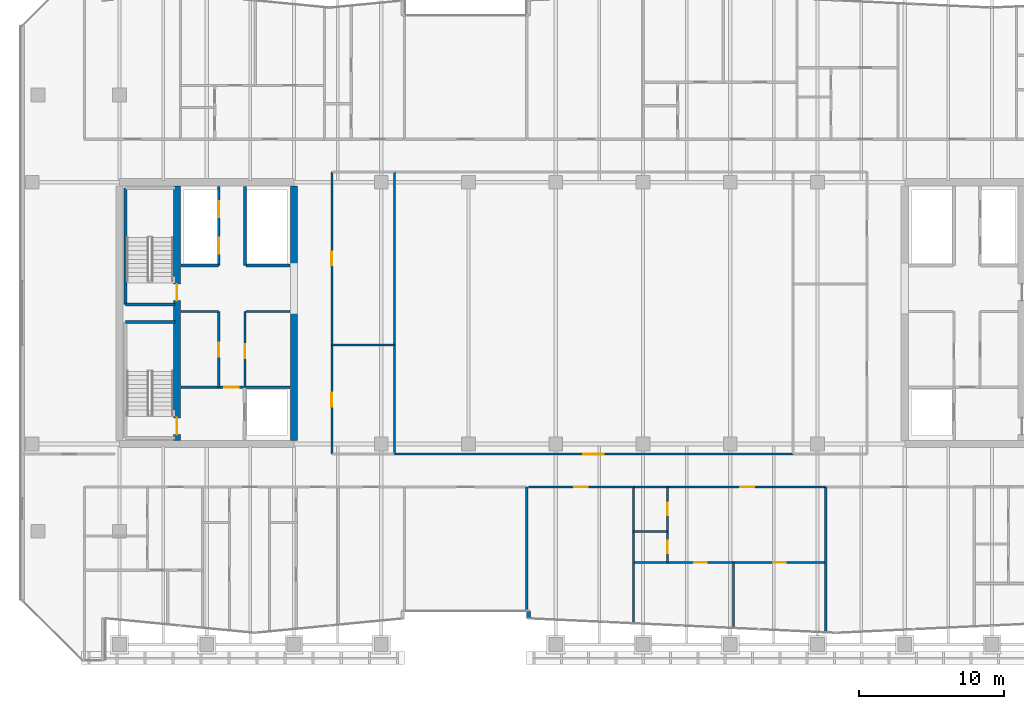
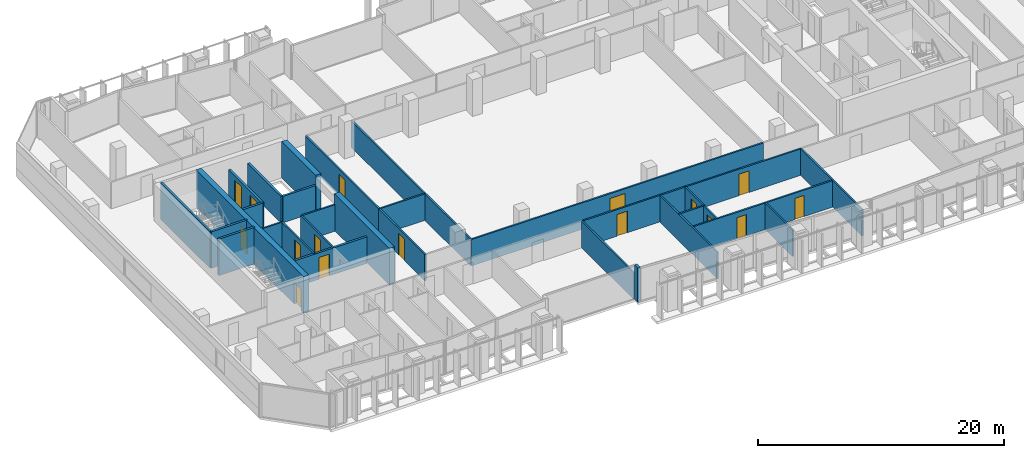
# One storey, part 28 of 39: 30 walls, 16 doors, 16 openings.
"""IFC4 building model written with IfcOpenShell, lengths in metres."""

from ifc_helpers import new_model, si_unit, direction, frame, frame_2d, origin, place, context, subcontext, project, spatial, rectangle, extrude, material, layer, layer_set, type_object, element, fill, save


model = new_model("IFC4")

# Units and contexts
model_context = context("Model", 3, precision=1e-05, world=origin(), true_north=direction((0.0, 1.0)))
body_context = subcontext(model_context, "Body", "Model", "MODEL_VIEW")
ifc_project = project(units=[si_unit("LENGTHUNIT", "METRE"), si_unit("AREAUNIT", "SQUARE_METRE"), si_unit("VOLUMEUNIT", "CUBIC_METRE"), si_unit("PLANEANGLEUNIT", "RADIAN"), si_unit("MASSUNIT", "GRAM", prefix="KILO")], contexts=[model_context])

# Site, building, storey
site_placement = place(None, origin())
site = spatial("IfcSite", under=ifc_project, at=site_placement, CompositionType="ELEMENT")
building_placement = place(site_placement, origin())
building = spatial("IfcBuilding", under=site, at=building_placement, Name="Tanjung Sevakor Pilgrim Tower", CompositionType="ELEMENT")
storey_placement = place(building_placement, frame((0.0, 0.0, 112.199951171875)))
storey = spatial("IfcBuildingStorey", under=building, at=storey_placement, Name="L31", CompositionType="ELEMENT", Elevation=112.199951171875)

# Walls
ifc_material_1 = material(Name="Concrete C60/75", Category="concrete")
ifc_layer_1 = layer(ifc_material_1, 0.5)
ifc_layer_set_1 = layer_set([ifc_layer_1], Name="WALL-CW-500")
wall_type_1 = type_object("IfcWallType", Name="WALL-CW-500", PredefinedType="SHEAR", material=ifc_layer_set_1)
wall_1_placement = place(storey_placement, frame((36.0, 24.85009765625, 0.0), z_axis=(0.0, 0.0, 1.0), x_axis=(0.0, 1.0, 0.0)))
element("IfcWall", 1, at=wall_1_placement, inside=storey, type_object=wall_type_1, Name="L31 W Core Inner Shear Wall South", PredefinedType="SHEAR", context=body_context, shape_type="SweptSolid", body=[
    extrude(rectangle(XDim=8.949951171875, YDim=0.5, at=frame_2d((4.47509765625, 0.0))), origin(), (0.0, 0.0, 1.0), 3.630126953125),
])
wall_2_placement = place(storey_placement, frame((36.0, 36.800048828125, 0.0), z_axis=(0.0, 0.0, 1.0), x_axis=(0.0, 1.0, 0.0)))
element("IfcWall", 2, at=wall_2_placement, inside=storey, type_object=wall_type_1, Name="L31 W Core Inner Shear Wall North", PredefinedType="SHEAR", context=body_context, shape_type="SweptSolid", body=[
    extrude(rectangle(XDim=5.550048828125, YDim=0.5, at=frame_2d((2.77490234375, 0.0))), origin(), (0.0, 0.0, 1.0), 3.630126953125),
])

# Wall, openings, doors
wall_3_placement = place(storey_placement, frame((27.949951171875, 24.85009765625, 0.0), z_axis=(0.0, 0.0, 1.0), x_axis=(0.0, 1.0, 0.0)))
wall_3 = element("IfcWall", 3, at=wall_3_placement, inside=storey, type_object=wall_type_1, Name="L31 W Core Stair Spine Wall", PredefinedType="SHEAR", context=body_context, shape_type="SweptSolid", body=[
    extrude(rectangle(XDim=17.5, YDim=0.5, at=frame_2d((8.75, 0.0))), origin(), (0.0, 0.0, 1.0), 3.630126953125),
])
opening_1_placement = place(wall_3_placement, frame((0.39990234375, 0.0, 0.0)))
opening_1 = element("IfcOpeningElement", 4, at=opening_1_placement, cuts=wall_3, Name="Opening ID-ST1", PredefinedType="OPENING", context=body_context, shape_type="SweptSolid", body=[
    extrude(rectangle(XDim=1.14990234375, YDim=2.14990234375, at=frame_2d((0.574951171875, 1.074951171875))), frame((0.0, 0.260009765625, 0.0), z_axis=(0.0, -1.0, 0.0), x_axis=(1.0, 0.0, 0.0)), (0.0, 0.0, 1.0), 0.52001953125),
])
opening_2_placement = place(wall_3_placement, frame((9.60009765625, 0.0, 0.0)))
opening_2 = element("IfcOpeningElement", 5, at=opening_2_placement, cuts=wall_3, Name="Opening ID-ST1", PredefinedType="OPENING", context=body_context, shape_type="SweptSolid", body=[
    extrude(rectangle(XDim=1.14990234375, YDim=2.14990234375, at=frame_2d((0.574951171875, 1.074951171875))), frame((0.0, 0.260009765625, 0.0), z_axis=(0.0, -1.0, 0.0), x_axis=(1.0, 0.0, 0.0)), (0.0, 0.0, 1.0), 0.52001953125),
])
ifc_material_2 = material(Name="Fire-Rated Steel S355J2", Category="steel")
door_type_1 = type_object("IfcDoorType", Name="DT-FIRE-1150", OperationType="NOTDEFINED", PredefinedType="DOOR", material=ifc_material_2)
door_1_placement = place(opening_1_placement, origin())
door_1 = element("IfcDoor", 6, at=door_1_placement, inside=storey, type_object=door_type_1, Name="L31 TS-W1 Stair Fire Door", OperationType="SINGLE_SWING_RIGHT", OverallHeight=2.14990234375, OverallWidth=1.14990234375, PredefinedType="DOOR", context=body_context, shape_type="SweptSolid", body=[
    extrude(rectangle(XDim=1.14990234375, YDim=2.14990234375, at=frame_2d((0.574951171875, 1.074951171875))), frame((0.0, 0.02490234375, 0.0), z_axis=(0.0, -1.0, 0.0), x_axis=(1.0, 0.0, 0.0)), (0.0, 0.0, 1.0), 0.050048828125),
])
fill(opening_1, door_1)
door_2_placement = place(opening_2_placement, origin())
door_2 = element("IfcDoor", 7, at=door_2_placement, inside=storey, type_object=door_type_1, Name="L31 TS-W2 Stair Fire Door", OperationType="SINGLE_SWING_LEFT", OverallHeight=2.14990234375, OverallWidth=1.14990234375, PredefinedType="DOOR", context=body_context, shape_type="SweptSolid", body=[
    extrude(rectangle(XDim=1.14990234375, YDim=2.14990234375, at=frame_2d((0.574951171875, 1.074951171875))), frame((0.0, 0.02490234375, 0.0), z_axis=(0.0, -1.0, 0.0), x_axis=(1.0, 0.0, 0.0)), (0.0, 0.0, 1.0), 0.050048828125),
])
fill(opening_2, door_2)

# Wall
ifc_material_3 = material(Name="Concrete C40/50", Category="concrete")
ifc_layer_2 = layer(ifc_material_3, 0.14990234375)
ifc_layer_set_2 = layer_set([ifc_layer_2], Name="WT-COMP-150")
wall_type_2 = type_object("IfcWallType", Name="WT-COMP-150", PredefinedType="SOLIDWALL", material=ifc_layer_set_2)
wall_4_placement = place(storey_placement, frame((28.219970703125, 33.719970703125, 0.0), z_axis=(0.0, 0.0, 1.0), x_axis=(1.0, 0.0, 0.0)))
element("IfcWall", 8, at=wall_4_placement, inside=storey, type_object=wall_type_2, Name="L31 Partition IW-L31-003", PredefinedType="SOLIDWALL", context=body_context, shape_type="SweptSolid", body=[
    extrude(rectangle(XDim=2.580078125, YDim=0.14990234375, at=frame_2d((1.2900390625, 0.0))), origin(), (0.0, 0.0, 1.0), 2.6298828125),
])

# Wall, opening, door
wall_5_placement = place(storey_placement, frame((30.820068359375, 28.5, 0.0), z_axis=(0.0, 0.0, 1.0), x_axis=(0.0, 1.0, 0.0)))
wall_5 = element("IfcWall", 9, at=wall_5_placement, inside=storey, type_object=wall_type_2, Name="L31 Partition IW-L31-004", PredefinedType="SOLIDWALL", context=body_context, shape_type="SweptSolid", body=[
    extrude(rectangle(XDim=5.219970703125, YDim=0.14990234375, at=frame_2d((2.60986328125, 0.0))), origin(), (0.0, 0.0, 1.0), 2.6298828125),
])
opening_3_placement = place(wall_5_placement, frame((2.10009765625, 0.0, 0.0)))
opening_3 = element("IfcOpeningElement", 10, at=opening_3_placement, cuts=wall_5, Name="Opening ID-FD2", PredefinedType="OPENING", context=body_context, shape_type="SweptSolid", body=[
    extrude(rectangle(XDim=0.949951171875, YDim=2.14990234375, at=frame_2d((0.47509765625, 1.074951171875))), frame((0.0, 0.0849609375, 0.0), z_axis=(0.0, -1.0, 0.0), x_axis=(1.0, 0.0, 0.0)), (0.0, 0.0, 1.0), 0.169921875),
])
ifc_material_4 = material(Name="Fire-Rated Timber", Category="wood")
door_type_2 = type_object("IfcDoorType", Name="DT-FIRE-950", OperationType="NOTDEFINED", PredefinedType="DOOR", material=ifc_material_4)
door_3_placement = place(opening_3_placement, origin())
door_3 = element("IfcDoor", 11, at=door_3_placement, inside=storey, type_object=door_type_2, Name="L31 Housekeeping Pantry Door", OperationType="SINGLE_SWING_RIGHT", OverallHeight=2.14990234375, OverallWidth=0.949951171875, PredefinedType="DOOR", context=body_context, shape_type="SweptSolid", body=[
    extrude(rectangle(XDim=0.949951171875, YDim=2.14990234375, at=frame_2d((0.47509765625, 1.074951171875))), frame((0.0, 0.02490234375, 0.0), z_axis=(0.0, -1.0, 0.0), x_axis=(1.0, 0.0, 0.0)), (0.0, 0.0, 1.0), 0.050048828125),
])
fill(opening_3, door_3)

# Wall
wall_6_placement = place(storey_placement, frame((32.679931640625, 33.719970703125, 0.0), z_axis=(0.0, 0.0, 1.0), x_axis=(1.0, 0.0, 0.0)))
element("IfcWall", 12, at=wall_6_placement, inside=storey, type_object=wall_type_2, Name="L31 Partition IW-L31-005", PredefinedType="SOLIDWALL", context=body_context, shape_type="SweptSolid", body=[
    extrude(rectangle(XDim=3.050048828125, YDim=0.14990234375, at=frame_2d((1.52490234375, 0.0))), origin(), (0.0, 0.0, 1.0), 2.6298828125),
])

# Wall, opening, door
wall_7_placement = place(storey_placement, frame((32.6201171875, 28.5, 0.0), z_axis=(0.0, 0.0, 1.0), x_axis=(0.0, 1.0, 0.0)))
wall_7 = element("IfcWall", 13, at=wall_7_placement, inside=storey, type_object=wall_type_2, Name="L31 Partition IW-L31-006", PredefinedType="SOLIDWALL", context=body_context, shape_type="SweptSolid", body=[
    extrude(rectangle(XDim=5.219970703125, YDim=0.14990234375, at=frame_2d((2.60986328125, 0.0))), origin(), (0.0, 0.0, 1.0), 2.6298828125),
])
opening_4_placement = place(wall_7_placement, frame((2.0, 0.0, 0.0)))
opening_4 = element("IfcOpeningElement", 14, at=opening_4_placement, cuts=wall_7, Name="Opening ID-FD2", PredefinedType="OPENING", context=body_context, shape_type="SweptSolid", body=[
    extrude(rectangle(XDim=0.949951171875, YDim=2.14990234375, at=frame_2d((0.47509765625, 1.074951171875))), frame((0.0, 0.0849609375, 0.0), z_axis=(0.0, -1.0, 0.0), x_axis=(1.0, 0.0, 0.0)), (0.0, 0.0, 1.0), 0.169921875),
])
door_4_placement = place(opening_4_placement, origin())
door_4 = element("IfcDoor", 15, at=door_4_placement, inside=storey, type_object=door_type_2, Name="L31 Accessible WC Door", OperationType="SINGLE_SWING_LEFT", OverallHeight=2.14990234375, OverallWidth=0.949951171875, PredefinedType="DOOR", context=body_context, shape_type="SweptSolid", body=[
    extrude(rectangle(XDim=0.949951171875, YDim=2.14990234375, at=frame_2d((0.47509765625, 1.074951171875))), frame((0.0, 0.02490234375, 0.0), z_axis=(0.0, -1.0, 0.0), x_axis=(1.0, 0.0, 0.0)), (0.0, 0.0, 1.0), 0.050048828125),
])
fill(opening_4, door_4)

# Wall
wall_8_placement = place(storey_placement, frame((38.60009765625, 31.39990234375, 0.0), z_axis=(0.0, 0.0, 1.0), x_axis=(1.0, 0.0, 0.0)))
element("IfcWall", 16, at=wall_8_placement, inside=storey, type_object=wall_type_2, Name="L31 Partition IW-L31-022", PredefinedType="SOLIDWALL", context=body_context, shape_type="SweptSolid", body=[
    extrude(rectangle(XDim=4.2998046875, YDim=0.14990234375, at=frame_2d((2.14990234375, 0.0))), origin(), (0.0, 0.0, 1.0), 2.6298828125),
])

# Wall, opening, door
wall_9_placement = place(storey_placement, frame((38.60009765625, 23.89990234375, 0.0), z_axis=(0.0, 0.0, 1.0), x_axis=(0.0, 1.0, 0.0)))
wall_9 = element("IfcWall", 17, at=wall_9_placement, inside=storey, type_object=wall_type_2, Name="L31 Partition IW-L31-023", PredefinedType="SOLIDWALL", context=body_context, shape_type="SweptSolid", body=[
    extrude(rectangle(XDim=7.5, YDim=0.14990234375, at=frame_2d((3.75, 0.0))), origin(), (0.0, 0.0, 1.0), 2.6298828125),
])
opening_5_placement = place(wall_9_placement, frame((3.27490234375, 0.0, 0.0)))
opening_5 = element("IfcOpeningElement", 18, at=opening_5_placement, cuts=wall_9, Name="Opening ID-RM1", PredefinedType="OPENING", context=body_context, shape_type="SweptSolid", body=[
    extrude(rectangle(XDim=0.949951171875, YDim=2.14990234375, at=frame_2d((0.47509765625, 1.074951171875))), frame((0.0, 0.0849609375, 0.0), z_axis=(0.0, -1.0, 0.0), x_axis=(1.0, 0.0, 0.0)), (0.0, 0.0, 1.0), 0.169921875),
])
ifc_material_5 = material(Name="Hardwood Timber", Category="wood")
door_type_3 = type_object("IfcDoorType", Name="DT-INT-950", OperationType="NOTDEFINED", PredefinedType="DOOR", material=ifc_material_5)
door_5_placement = place(opening_5_placement, origin())
door_5 = element("IfcDoor", 19, at=door_5_placement, inside=storey, type_object=door_type_3, Name="L31 Male Ablution Door", OperationType="SINGLE_SWING_RIGHT", OverallHeight=2.14990234375, OverallWidth=0.949951171875, PredefinedType="DOOR", context=body_context, shape_type="SweptSolid", body=[
    extrude(rectangle(XDim=0.949951171875, YDim=2.14990234375, at=frame_2d((0.47509765625, 1.074951171875))), frame((0.0, 0.02490234375, 0.0), z_axis=(0.0, -1.0, 0.0), x_axis=(1.0, 0.0, 0.0)), (0.0, 0.0, 1.0), 0.050048828125),
])
fill(opening_5, door_5)

wall_10_placement = place(storey_placement, frame((38.60009765625, 31.39990234375, 0.0), z_axis=(0.0, 0.0, 1.0), x_axis=(0.0, 1.0, 0.0)))
wall_10 = element("IfcWall", 20, at=wall_10_placement, inside=storey, type_object=wall_type_2, Name="L31 Partition IW-L31-025", PredefinedType="SOLIDWALL", context=body_context, shape_type="SweptSolid", body=[
    extrude(rectangle(XDim=11.900146484375, YDim=0.14990234375, at=frame_2d((5.9501953125, 0.0))), origin(), (0.0, 0.0, 1.0), 2.6298828125),
])
opening_6_placement = place(wall_10_placement, frame((5.47509765625, 0.0, 0.0)))
opening_6 = element("IfcOpeningElement", 21, at=opening_6_placement, cuts=wall_10, Name="Opening ID-RM1", PredefinedType="OPENING", context=body_context, shape_type="SweptSolid", body=[
    extrude(rectangle(XDim=0.949951171875, YDim=2.14990234375, at=frame_2d((0.47509765625, 1.074951171875))), frame((0.0, 0.0849609375, 0.0), z_axis=(0.0, -1.0, 0.0), x_axis=(1.0, 0.0, 0.0)), (0.0, 0.0, 1.0), 0.169921875),
])
door_6_placement = place(opening_6_placement, origin())
door_6 = element("IfcDoor", 22, at=door_6_placement, inside=storey, type_object=door_type_3, Name="L31 Male Washroom Door", OperationType="SINGLE_SWING_LEFT", OverallHeight=2.14990234375, OverallWidth=0.949951171875, PredefinedType="DOOR", context=body_context, shape_type="SweptSolid", body=[
    extrude(rectangle(XDim=0.949951171875, YDim=2.14990234375, at=frame_2d((0.47509765625, 1.074951171875))), frame((0.0, 0.02490234375, 0.0), z_axis=(0.0, -1.0, 0.0), x_axis=(1.0, 0.0, 0.0)), (0.0, 0.0, 1.0), 0.050048828125),
])
fill(opening_6, door_6)

wall_11_placement = place(storey_placement, frame((42.89990234375, 23.89990234375, 0.0), z_axis=(0.0, 0.0, 1.0), x_axis=(1.0, 0.0, 0.0)))
wall_11 = element("IfcWall", 23, at=wall_11_placement, inside=storey, type_object=wall_type_2, Name="L31 Partition IW-L31-026", PredefinedType="SOLIDWALL", context=body_context, shape_type="SweptSolid", body=[
    extrude(rectangle(XDim=27.400146484375, YDim=0.14990234375, at=frame_2d((13.7001953125, 0.0))), origin(), (0.0, 0.0, 1.0), 2.6298828125),
])
opening_7_placement = place(wall_11_placement, frame((13.0, 0.0, 0.0)))
opening_7 = element("IfcOpeningElement", 24, at=opening_7_placement, cuts=wall_11, Name="Opening ID-HD1", PredefinedType="OPENING", context=body_context, shape_type="SweptSolid", body=[
    extrude(rectangle(XDim=1.39990234375, YDim=2.14990234375, at=frame_2d((0.699951171875, 1.074951171875))), frame((0.0, 0.0849609375, 0.0), z_axis=(0.0, -1.0, 0.0), x_axis=(1.0, 0.0, 0.0)), (0.0, 0.0, 1.0), 0.169921875),
])
ifc_material_6 = material(Name="Hardwood Timber", Category="wood")
door_type_4 = type_object("IfcDoorType", Name="DT-INT-1400", OperationType="DOUBLE_DOOR_SINGLE_SWING", PredefinedType="DOOR", material=ifc_material_6)
door_7_placement = place(opening_7_placement, origin())
door_7 = element("IfcDoor", 25, at=door_7_placement, inside=storey, type_object=door_type_4, Name="L31 Sky-Prayer Sanctuary Door", OperationType="SINGLE_SWING_RIGHT", OverallHeight=2.14990234375, OverallWidth=1.39990234375, PredefinedType="DOOR", context=body_context, shape_type="SweptSolid", body=[
    extrude(rectangle(XDim=1.39990234375, YDim=2.14990234375, at=frame_2d((0.699951171875, 1.074951171875))), frame((0.0, 0.02490234375, 0.0), z_axis=(0.0, -1.0, 0.0), x_axis=(1.0, 0.0, 0.0)), (0.0, 0.0, 1.0), 0.050048828125),
])
fill(opening_7, door_7)

# Walls
wall_12_placement = place(storey_placement, frame((42.89990234375, 23.89990234375, 0.0), z_axis=(0.0, 0.0, 1.0), x_axis=(0.0, 1.0, 0.0)))
element("IfcWall", 26, at=wall_12_placement, inside=storey, type_object=wall_type_2, Name="L31 Partition IW-L31-028", PredefinedType="SOLIDWALL", context=body_context, shape_type="SweptSolid", body=[
    extrude(rectangle(XDim=19.400146484375, YDim=0.14990234375, at=frame_2d((9.7001953125, 0.0))), origin(), (0.0, 0.0, 1.0), 2.6298828125),
])
wall_13_placement = place(storey_placement, frame((52.0, 13.125, 0.0), z_axis=(0.0, 0.0, 1.0), x_axis=(0.0, 1.0, 0.0)))
element("IfcWall", 27, at=wall_13_placement, inside=storey, type_object=wall_type_2, Name="L31 Partition IW-L31-044", PredefinedType="SOLIDWALL", context=body_context, shape_type="SweptSolid", body=[
    extrude(rectangle(XDim=8.52490234375, YDim=0.14990234375, at=frame_2d((4.262451171875, 0.0))), origin(), (0.0, 0.0, 1.0), 2.6298828125),
])
wall_14_placement = place(storey_placement, frame((59.333251953125, 12.260986328125, 0.0), z_axis=(0.0, 0.0, 1.0), x_axis=(0.0, 1.0, 0.0)))
element("IfcWall", 28, at=wall_14_placement, inside=storey, type_object=wall_type_2, Name="L31 Partition IW-L31-065", PredefinedType="SOLIDWALL", context=body_context, shape_type="SweptSolid", body=[
    extrude(rectangle(XDim=9.388916015625, YDim=0.14990234375, at=frame_2d((4.6943359375, 0.0))), origin(), (0.0, 0.0, 1.0), 2.6298828125),
])

# Wall, opening, door
wall_15_placement = place(storey_placement, frame((52.1201171875, 21.64990234375, 0.0), z_axis=(0.0, 0.0, 1.0), x_axis=(1.0, 0.0, 0.0)))
wall_15 = element("IfcWall", 29, at=wall_15_placement, inside=storey, type_object=wall_type_2, Name="L31 Partition IW-L31-066", PredefinedType="SOLIDWALL", context=body_context, shape_type="SweptSolid", body=[
    extrude(rectangle(XDim=7.213134765625, YDim=0.14990234375, at=frame_2d((3.6064453125, 0.0))), origin(), (0.0, 0.0, 1.0), 2.6298828125),
])
opening_8_placement = place(wall_15_placement, frame((3.131591796875, 0.0, 0.0)))
opening_8 = element("IfcOpeningElement", 30, at=opening_8_placement, cuts=wall_15, Name="Opening ID-FD2", PredefinedType="OPENING", context=body_context, shape_type="SweptSolid", body=[
    extrude(rectangle(XDim=0.949951171875, YDim=2.14990234375, at=frame_2d((0.47509765625, 1.074951171875))), frame((0.0, 0.0849609375, 0.0), z_axis=(0.0, -1.0, 0.0), x_axis=(1.0, 0.0, 0.0)), (0.0, 0.0, 1.0), 0.169921875),
])
door_8_placement = place(opening_8_placement, origin())
door_8 = element("IfcDoor", 31, at=door_8_placement, inside=storey, type_object=door_type_2, Name="Housekeeping Pantry Door", OperationType="SINGLE_SWING_RIGHT", OverallHeight=2.14990234375, OverallWidth=0.949951171875, PredefinedType="DOOR", context=body_context, shape_type="SweptSolid", body=[
    extrude(rectangle(XDim=0.949951171875, YDim=2.14990234375, at=frame_2d((0.47509765625, 1.074951171875))), frame((0.0, 0.02490234375, 0.0), z_axis=(0.0, -1.0, 0.0), x_axis=(1.0, 0.0, 0.0)), (0.0, 0.0, 1.0), 0.050048828125),
])
fill(opening_8, door_8)

# Wall
wall_16_placement = place(storey_placement, frame((72.557373046875, 11.639892578125, 0.0), z_axis=(0.0, 0.0, 1.0), x_axis=(0.0, 1.0, 0.0)))
element("IfcWall", 32, at=wall_16_placement, inside=storey, type_object=wall_type_2, Name="L31 Partition IW-L31-067", PredefinedType="SOLIDWALL", context=body_context, shape_type="SweptSolid", body=[
    extrude(rectangle(XDim=10.010009765625, YDim=0.14990234375, at=frame_2d((5.0048828125, 0.0))), origin(), (0.0, 0.0, 1.0), 2.6298828125),
])

# Wall, opening, door
wall_17_placement = place(storey_placement, frame((59.333251953125, 21.64990234375, 0.0), z_axis=(0.0, 0.0, 1.0), x_axis=(1.0, 0.0, 0.0)))
wall_17 = element("IfcWall", 33, at=wall_17_placement, inside=storey, type_object=wall_type_2, Name="L31 Partition IW-L31-072", PredefinedType="SOLIDWALL", context=body_context, shape_type="SweptSolid", body=[
    extrude(rectangle(XDim=13.22412109375, YDim=0.14990234375, at=frame_2d((6.612060546875, 0.0))), origin(), (0.0, 0.0, 1.0), 2.6298828125),
])
opening_9_placement = place(wall_17_placement, frame((7.35205078125, 0.0, 0.0)))
opening_9 = element("IfcOpeningElement", 34, at=opening_9_placement, cuts=wall_17, Name="Opening ID-FD2", PredefinedType="OPENING", context=body_context, shape_type="SweptSolid", body=[
    extrude(rectangle(XDim=0.949951171875, YDim=2.14990234375, at=frame_2d((0.47509765625, 1.074951171875))), frame((0.0, 0.0849609375, 0.0), z_axis=(0.0, -1.0, 0.0), x_axis=(1.0, 0.0, 0.0)), (0.0, 0.0, 1.0), 0.169921875),
])
door_9_placement = place(opening_9_placement, origin())
door_9 = element("IfcDoor", 35, at=door_9_placement, inside=storey, type_object=door_type_2, Name="Suite Entrance", OperationType="SINGLE_SWING_LEFT", OverallHeight=2.14990234375, OverallWidth=0.949951171875, PredefinedType="DOOR", context=body_context, shape_type="SweptSolid", body=[
    extrude(rectangle(XDim=0.949951171875, YDim=2.14990234375, at=frame_2d((0.47509765625, 1.074951171875))), frame((0.0, 0.02490234375, 0.0), z_axis=(0.0, -1.0, 0.0), x_axis=(1.0, 0.0, 0.0)), (0.0, 0.0, 1.0), 0.050048828125),
])
fill(opening_9, door_9)

# Walls
ifc_material_7 = material(Name="Precast concrete C45/55", Category="concrete")
ifc_layer_3 = layer(ifc_material_7, 0.25)
ifc_layer_set_3 = layer_set([ifc_layer_3], Name="WT-EW-STN3")
wall_type_3 = type_object("IfcWallType", Name="WT-EW-STN3", PredefinedType="SOLIDWALL", material=ifc_layer_set_3)
wall_18_placement = place(storey_placement, frame((52.125, 13.125, 0.0), z_axis=(0.0, 0.0, 1.0), x_axis=(0.0, -1.0, 0.0)))
element("IfcWall", 36, at=wall_18_placement, inside=storey, type_object=wall_type_3, Name="L31 MAIN Exterior Wall 9", PredefinedType="SOLIDWALL", context=body_context, shape_type="SweptSolid", body=[
    extrude(rectangle(XDim=0.525634765625, YDim=0.25, at=frame_2d((0.2626953125, 0.0))), origin(), (0.0, 0.0, 1.0), 3.409912109375),
])
ifc_material_8 = material(Name="Concrete C40/50", Category="concrete")
ifc_layer_4 = layer(ifc_material_8, 0.199951171875)
ifc_layer_set_4 = layer_set([ifc_layer_4], Name="WT-FIRE-200")
wall_type_4 = type_object("IfcWallType", Name="WT-FIRE-200", PredefinedType="SOLIDWALL", material=ifc_layer_set_4)
for number, where, z_axis, x_axis, name in (
    (37, (27.800048828125, 33.0, 0.0), (0.0, 0.0, 1.0), (-1.0, 0.0, 0.0), "L31 TS-W1 Shaft Wall 2"),
    (38, (24.39990234375, 34.199951171875, 0.0), (0.0, 0.0, 1.0), (1.0, 0.0, 0.0), "L31 TS-W2 Shaft Wall 1"),
):
    element("IfcWall", number, at=place(storey_placement, frame(where, z_axis=z_axis, x_axis=x_axis)), inside=storey, type_object=wall_type_4, Name=name, PredefinedType="SOLIDWALL", context=body_context, shape_type="SweptSolid", body=[
        extrude(rectangle(XDim=3.400146484375, YDim=0.199951171875, at=frame_2d((1.7001953125, 0.0))), origin(), (0.0, 0.0, 1.0), 3.630126953125),
    ])
wall_19_placement = place(storey_placement, frame((24.39990234375, 42.199951171875, 0.0), z_axis=(0.0, 0.0, 1.0), x_axis=(0.0, -1.0, 0.0)))
element("IfcWall", 39, at=wall_19_placement, inside=storey, type_object=wall_type_4, Name="L31 TS-W2 Shaft Wall 3", PredefinedType="SOLIDWALL", context=body_context, shape_type="SweptSolid", body=[
    extrude(rectangle(XDim=8.0, YDim=0.199951171875, at=frame_2d((4.0, 0.0))), origin(), (0.0, 0.0, 1.0), 3.630126953125),
])

# Wall, opening, door
ifc_material_9 = material(Name="Concrete C40/50", Category="concrete")
ifc_layer_5 = layer(ifc_material_9, 0.199951171875)
ifc_layer_set_5 = layer_set([ifc_layer_5], Name="WT-FPRT-200")
wall_type_5 = type_object("IfcWallType", Name="WT-FPRT-200", PredefinedType="SOLIDWALL", material=ifc_layer_set_5)
wall_20_placement = place(storey_placement, frame((28.219970703125, 28.5, 0.0), z_axis=(0.0, 0.0, 1.0), x_axis=(1.0, 0.0, 0.0)))
wall_20 = element("IfcWall", 40, at=wall_20_placement, inside=storey, type_object=wall_type_5, Name="L31 Partition IW-L31-002", PredefinedType="SOLIDWALL", context=body_context, shape_type="SweptSolid", body=[
    extrude(rectangle(XDim=7.510009765625, YDim=0.199951171875, at=frame_2d((3.7548828125, 0.0))), origin(), (0.0, 0.0, 1.0), 2.6298828125),
])
opening_10_placement = place(wall_20_placement, frame((2.97998046875, 0.0, 0.0)))
opening_10 = element("IfcOpeningElement", 41, at=opening_10_placement, cuts=wall_20, Name="Opening ID-FD1", PredefinedType="OPENING", context=body_context, shape_type="SweptSolid", body=[
    extrude(rectangle(XDim=1.0, YDim=2.14990234375, at=frame_2d((0.5, 1.074951171875))), frame((0.0, 0.10986328125, 0.0), z_axis=(0.0, -1.0, 0.0), x_axis=(1.0, 0.0, 0.0)), (0.0, 0.0, 1.0), 0.219970703125),
])
ifc_material_10 = material(Name="Fire-Rated Steel S355J2", Category="steel")
door_type_5 = type_object("IfcDoorType", Name="DT-FIRE-1000", OperationType="NOTDEFINED", PredefinedType="DOOR", material=ifc_material_10)
door_10_placement = place(opening_10_placement, origin())
door_10 = element("IfcDoor", 42, at=door_10_placement, inside=storey, type_object=door_type_5, Name="Fire Lobby Door W", OperationType="SINGLE_SWING_LEFT", OverallHeight=2.14990234375, OverallWidth=1.0, PredefinedType="DOOR", context=body_context, shape_type="SweptSolid", body=[
    extrude(rectangle(XDim=1.0, YDim=2.14990234375, at=frame_2d((0.5, 1.074951171875))), frame((0.0, 0.02490234375, 0.0), z_axis=(0.0, -1.0, 0.0), x_axis=(1.0, 0.0, 0.0)), (0.0, 0.0, 1.0), 0.050048828125),
])
fill(opening_10, door_10)

# Wall
wall_21_placement = place(storey_placement, frame((28.219970703125, 36.8798828125, 0.0), z_axis=(0.0, 0.0, 1.0), x_axis=(1.0, 0.0, 0.0)))
element("IfcWall", 43, at=wall_21_placement, inside=storey, type_object=wall_type_5, Name="L31 Partition IW-L31-007", PredefinedType="SOLIDWALL", context=body_context, shape_type="SweptSolid", body=[
    extrude(rectangle(XDim=2.580078125, YDim=0.199951171875, at=frame_2d((1.2900390625, 0.0))), origin(), (0.0, 0.0, 1.0), 2.6298828125),
])

# Wall, openings, doors
wall_22_placement = place(storey_placement, frame((30.820068359375, 36.8798828125, 0.0), z_axis=(0.0, 0.0, 1.0), x_axis=(0.0, 1.0, 0.0)))
wall_22 = element("IfcWall", 44, at=wall_22_placement, inside=storey, type_object=wall_type_5, Name="L31 Partition IW-L31-008", PredefinedType="SOLIDWALL", context=body_context, shape_type="SweptSolid", body=[
    extrude(rectangle(XDim=5.420166015625, YDim=0.199951171875, at=frame_2d((2.7099609375, 0.0))), origin(), (0.0, 0.0, 1.0), 2.6298828125),
])
opening_11_placement = place(wall_22_placement, frame((0.800048828125, 0.0, 0.0)))
opening_11 = element("IfcOpeningElement", 45, at=opening_11_placement, cuts=wall_22, Name="Opening LD-1100", PredefinedType="OPENING", context=body_context, shape_type="SweptSolid", body=[
    extrude(rectangle(XDim=1.10009765625, YDim=2.199951171875, at=frame_2d((0.550048828125, 1.10009765625))), frame((0.0, 0.10986328125, 0.0), z_axis=(0.0, -1.0, 0.0), x_axis=(1.0, 0.0, 0.0)), (0.0, 0.0, 1.0), 0.219970703125),
])
opening_12_placement = place(wall_22_placement, frame((3.300048828125, 0.0, 0.0)))
opening_12 = element("IfcOpeningElement", 46, at=opening_12_placement, cuts=wall_22, Name="Opening LD-1100", PredefinedType="OPENING", context=body_context, shape_type="SweptSolid", body=[
    extrude(rectangle(XDim=1.10009765625, YDim=2.199951171875, at=frame_2d((0.550048828125, 1.10009765625))), frame((0.0, 0.10986328125, 0.0), z_axis=(0.0, -1.0, 0.0), x_axis=(1.0, 0.0, 0.0)), (0.0, 0.0, 1.0), 0.219970703125),
])
ifc_material_11 = material(Name="Brushed Stainless Steel S355J2", Category="steel")
door_type_6 = type_object("IfcDoorType", Name="DT-LIFT-1100", OperationType="SLIDING_TO_LEFT", PredefinedType="DOOR", material=ifc_material_11)
door_11_placement = place(opening_11_placement, origin())
door_11 = element("IfcDoor", 47, at=door_11_placement, inside=storey, type_object=door_type_6, Name="LD-PLM1-W", OperationType="SLIDING_TO_LEFT", OverallHeight=2.199951171875, OverallWidth=1.10009765625, PredefinedType="DOOR", context=body_context, shape_type="SweptSolid", body=[
    extrude(rectangle(XDim=1.10009765625, YDim=2.199951171875, at=frame_2d((0.550048828125, 1.10009765625))), frame((0.0, 0.02490234375, 0.0), z_axis=(0.0, -1.0, 0.0), x_axis=(1.0, 0.0, 0.0)), (0.0, 0.0, 1.0), 0.050048828125),
])
fill(opening_11, door_11)
door_12_placement = place(opening_12_placement, origin())
door_12 = element("IfcDoor", 48, at=door_12_placement, inside=storey, type_object=door_type_6, Name="LD-PLM2-W", OperationType="SLIDING_TO_RIGHT", OverallHeight=2.199951171875, OverallWidth=1.10009765625, PredefinedType="DOOR", context=body_context, shape_type="SweptSolid", body=[
    extrude(rectangle(XDim=1.10009765625, YDim=2.199951171875, at=frame_2d((0.550048828125, 1.10009765625))), frame((0.0, 0.02490234375, 0.0), z_axis=(0.0, -1.0, 0.0), x_axis=(1.0, 0.0, 0.0)), (0.0, 0.0, 1.0), 0.050048828125),
])
fill(opening_12, door_12)

# Walls
wall_23_placement = place(storey_placement, frame((32.679931640625, 36.8798828125, 0.0), z_axis=(0.0, 0.0, 1.0), x_axis=(1.0, 0.0, 0.0)))
element("IfcWall", 49, at=wall_23_placement, inside=storey, type_object=wall_type_5, Name="L31 Partition IW-L31-009", PredefinedType="SOLIDWALL", context=body_context, shape_type="SweptSolid", body=[
    extrude(rectangle(XDim=3.050048828125, YDim=0.199951171875, at=frame_2d((1.52490234375, 0.0))), origin(), (0.0, 0.0, 1.0), 2.6298828125),
])
wall_24_placement = place(storey_placement, frame((32.6201171875, 36.8798828125, 0.0), z_axis=(0.0, 0.0, 1.0), x_axis=(0.0, 1.0, 0.0)))
element("IfcWall", 50, at=wall_24_placement, inside=storey, type_object=wall_type_5, Name="L31 Partition IW-L31-010", PredefinedType="SOLIDWALL", context=body_context, shape_type="SweptSolid", body=[
    extrude(rectangle(XDim=5.420166015625, YDim=0.199951171875, at=frame_2d((2.7099609375, 0.0))), origin(), (0.0, 0.0, 1.0), 2.6298828125),
])
ifc_material_12 = material(Name="Gypsum Board Partition", Category="gypsum board")
ifc_layer_6 = layer(ifc_material_12, 0.14990234375)
ifc_layer_set_6 = layer_set([ifc_layer_6], Name="WT-PART-150")
wall_type_6 = type_object("IfcWallType", Name="WT-PART-150", PredefinedType="PARTITIONING", material=ifc_layer_set_6)
wall_25_placement = place(storey_placement, frame((59.333251953125, 18.58251953125, 0.0), z_axis=(0.0, 0.0, 1.0), x_axis=(1.0, 0.0, 0.0)))
element("IfcWall", 51, at=wall_25_placement, inside=storey, type_object=wall_type_6, Name="L31 Partition IW-L31-068", PredefinedType="PARTITIONING", context=body_context, shape_type="SweptSolid", body=[
    extrude(rectangle(XDim=2.349853515625, YDim=0.14990234375, at=frame_2d((1.1748046875, 0.0))), origin(), (0.0, 0.0, 1.0), 2.6298828125),
])

# Wall, openings, doors
wall_26_placement = place(storey_placement, frame((61.68310546875, 16.45068359375, 0.0), z_axis=(0.0, 0.0, 1.0), x_axis=(0.0, 1.0, 0.0)))
wall_26 = element("IfcWall", 52, at=wall_26_placement, inside=storey, type_object=wall_type_6, Name="L31 Partition IW-L31-069", PredefinedType="PARTITIONING", context=body_context, shape_type="SweptSolid", body=[
    extrude(rectangle(XDim=5.19921875, YDim=0.14990234375, at=frame_2d((2.599609375, 0.0))), origin(), (0.0, 0.0, 1.0), 2.6298828125),
])
opening_13_placement = place(wall_26_placement, frame((0.640869140625, 0.0, 0.0)))
opening_13 = element("IfcOpeningElement", 53, at=opening_13_placement, cuts=wall_26, Name="Opening ID-WC1", PredefinedType="OPENING", context=body_context, shape_type="SweptSolid", body=[
    extrude(rectangle(XDim=0.85009765625, YDim=2.10009765625, at=frame_2d((0.425048828125, 1.050048828125))), frame((0.0, 0.0849609375, 0.0), z_axis=(0.0, -1.0, 0.0), x_axis=(1.0, 0.0, 0.0)), (0.0, 0.0, 1.0), 0.169921875),
])
opening_14_placement = place(wall_26_placement, frame((3.240478515625, 0.0, 0.0)))
opening_14 = element("IfcOpeningElement", 54, at=opening_14_placement, cuts=wall_26, Name="Opening ID-WC1", PredefinedType="OPENING", context=body_context, shape_type="SweptSolid", body=[
    extrude(rectangle(XDim=0.85009765625, YDim=2.10009765625, at=frame_2d((0.425048828125, 1.050048828125))), frame((0.0, 0.0849609375, 0.0), z_axis=(0.0, -1.0, 0.0), x_axis=(1.0, 0.0, 0.0)), (0.0, 0.0, 1.0), 0.169921875),
])
ifc_material_13 = material(Name="Moisture-Resistant Timber", Category="wood")
door_type_7 = type_object("IfcDoorType", Name="DT-INT-850", OperationType="NOTDEFINED", PredefinedType="DOOR", material=ifc_material_13)
door_13_placement = place(opening_13_placement, origin())
door_13 = element("IfcDoor", 55, at=door_13_placement, inside=storey, type_object=door_type_7, Name="Suite Bathroom Door", OperationType="SINGLE_SWING_LEFT", OverallHeight=2.10009765625, OverallWidth=0.85009765625, PredefinedType="DOOR", context=body_context, shape_type="SweptSolid", body=[
    extrude(rectangle(XDim=0.85009765625, YDim=2.10009765625, at=frame_2d((0.425048828125, 1.050048828125))), frame((0.0, 0.02490234375, 0.0), z_axis=(0.0, -1.0, 0.0), x_axis=(1.0, 0.0, 0.0)), (0.0, 0.0, 1.0), 0.050048828125),
])
fill(opening_13, door_13)
door_14_placement = place(opening_14_placement, origin())
door_14 = element("IfcDoor", 56, at=door_14_placement, inside=storey, type_object=door_type_7, Name="Suite Kitchenette Door", OperationType="SINGLE_SWING_RIGHT", OverallHeight=2.10009765625, OverallWidth=0.85009765625, PredefinedType="DOOR", context=body_context, shape_type="SweptSolid", body=[
    extrude(rectangle(XDim=0.85009765625, YDim=2.10009765625, at=frame_2d((0.425048828125, 1.050048828125))), frame((0.0, 0.02490234375, 0.0), z_axis=(0.0, -1.0, 0.0), x_axis=(1.0, 0.0, 0.0)), (0.0, 0.0, 1.0), 0.050048828125),
])
fill(opening_14, door_14)

# Wall
wall_27_placement = place(storey_placement, frame((66.209716796875, 11.93798828125, 0.0), z_axis=(0.0, 0.0, 1.0), x_axis=(0.0, 1.0, 0.0)))
element("IfcWall", 57, at=wall_27_placement, inside=storey, type_object=wall_type_6, Name="L31 Partition IW-L31-070", PredefinedType="PARTITIONING", context=body_context, shape_type="SweptSolid", body=[
    extrude(rectangle(XDim=4.5126953125, YDim=0.14990234375, at=frame_2d((2.25634765625, 0.0))), origin(), (0.0, 0.0, 1.0), 2.6298828125),
])

# Wall, openings, doors
wall_28_placement = place(storey_placement, frame((59.333251953125, 16.45068359375, 0.0), z_axis=(0.0, 0.0, 1.0), x_axis=(1.0, 0.0, 0.0)))
wall_28 = element("IfcWall", 58, at=wall_28_placement, inside=storey, type_object=wall_type_6, Name="L31 Partition IW-L31-071", PredefinedType="PARTITIONING", context=body_context, shape_type="SweptSolid", body=[
    extrude(rectangle(XDim=13.22412109375, YDim=0.14990234375, at=frame_2d((6.612060546875, 0.0))), origin(), (0.0, 0.0, 1.0), 2.6298828125),
])
opening_15_placement = place(wall_28_placement, frame((4.188232421875, 0.0, 0.0)))
opening_15 = element("IfcOpeningElement", 59, at=opening_15_placement, cuts=wall_28, Name="Opening ID-WC1", PredefinedType="OPENING", context=body_context, shape_type="SweptSolid", body=[
    extrude(rectangle(XDim=0.85009765625, YDim=2.10009765625, at=frame_2d((0.425048828125, 1.050048828125))), frame((0.0, 0.0849609375, 0.0), z_axis=(0.0, -1.0, 0.0), x_axis=(1.0, 0.0, 0.0)), (0.0, 0.0, 1.0), 0.169921875),
])
opening_16_placement = place(wall_28_placement, frame((9.625244140625, 0.0, 0.0)))
opening_16 = element("IfcOpeningElement", 60, at=opening_16_placement, cuts=wall_28, Name="Opening ID-WC1", PredefinedType="OPENING", context=body_context, shape_type="SweptSolid", body=[
    extrude(rectangle(XDim=0.85009765625, YDim=2.10009765625, at=frame_2d((0.425048828125, 1.050048828125))), frame((0.0, 0.0849609375, 0.0), z_axis=(0.0, -1.0, 0.0), x_axis=(1.0, 0.0, 0.0)), (0.0, 0.0, 1.0), 0.169921875),
])
door_15_placement = place(opening_15_placement, origin())
door_15 = element("IfcDoor", 61, at=door_15_placement, inside=storey, type_object=door_type_7, Name="Suite Bedroom 1 Door", OperationType="SINGLE_SWING_LEFT", OverallHeight=2.10009765625, OverallWidth=0.85009765625, PredefinedType="DOOR", context=body_context, shape_type="SweptSolid", body=[
    extrude(rectangle(XDim=0.85009765625, YDim=2.10009765625, at=frame_2d((0.425048828125, 1.050048828125))), frame((0.0, 0.02490234375, 0.0), z_axis=(0.0, -1.0, 0.0), x_axis=(1.0, 0.0, 0.0)), (0.0, 0.0, 1.0), 0.050048828125),
])
fill(opening_15, door_15)
door_16_placement = place(opening_16_placement, origin())
door_16 = element("IfcDoor", 62, at=door_16_placement, inside=storey, type_object=door_type_7, Name="Suite Bedroom 2 Door", OperationType="SINGLE_SWING_RIGHT", OverallHeight=2.10009765625, OverallWidth=0.85009765625, PredefinedType="DOOR", context=body_context, shape_type="SweptSolid", body=[
    extrude(rectangle(XDim=0.85009765625, YDim=2.10009765625, at=frame_2d((0.425048828125, 1.050048828125))), frame((0.0, 0.02490234375, 0.0), z_axis=(0.0, -1.0, 0.0), x_axis=(1.0, 0.0, 0.0)), (0.0, 0.0, 1.0), 0.050048828125),
])
fill(opening_16, door_16)

save(model, "model.ifc")
